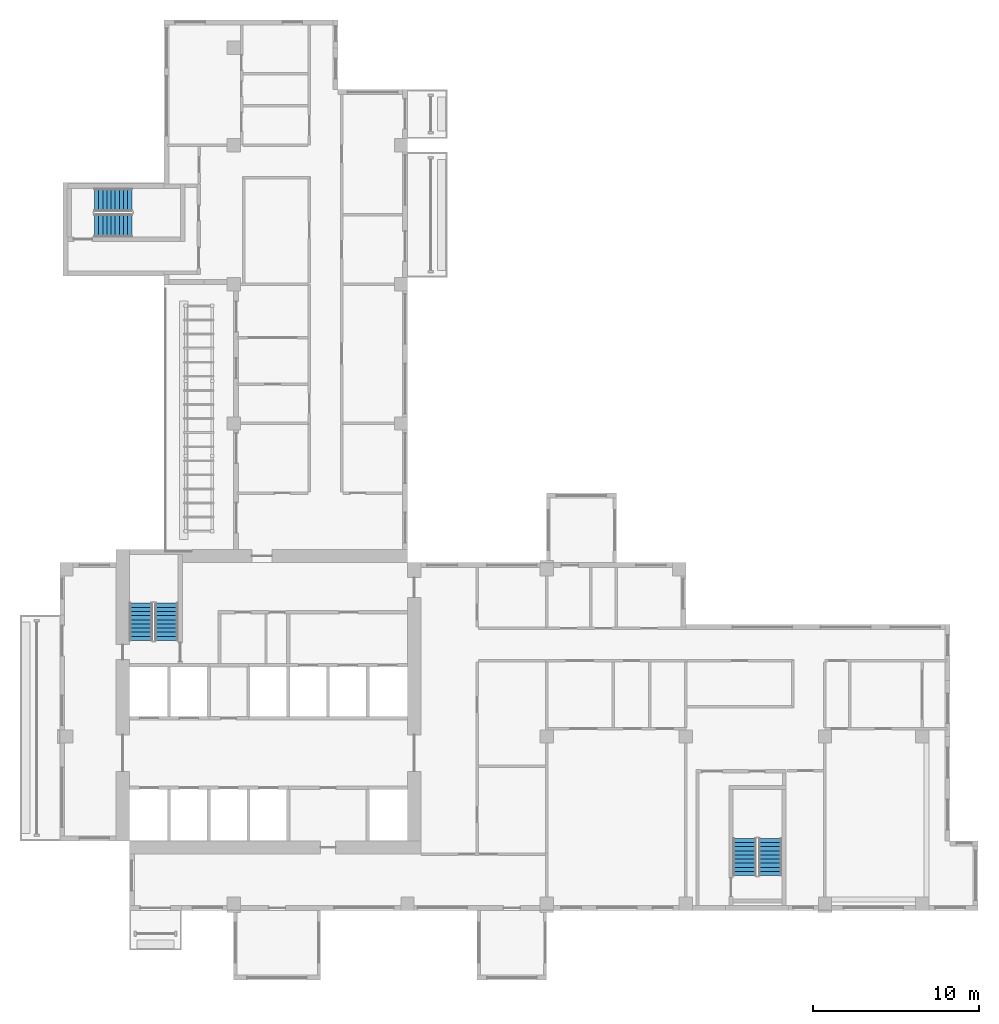
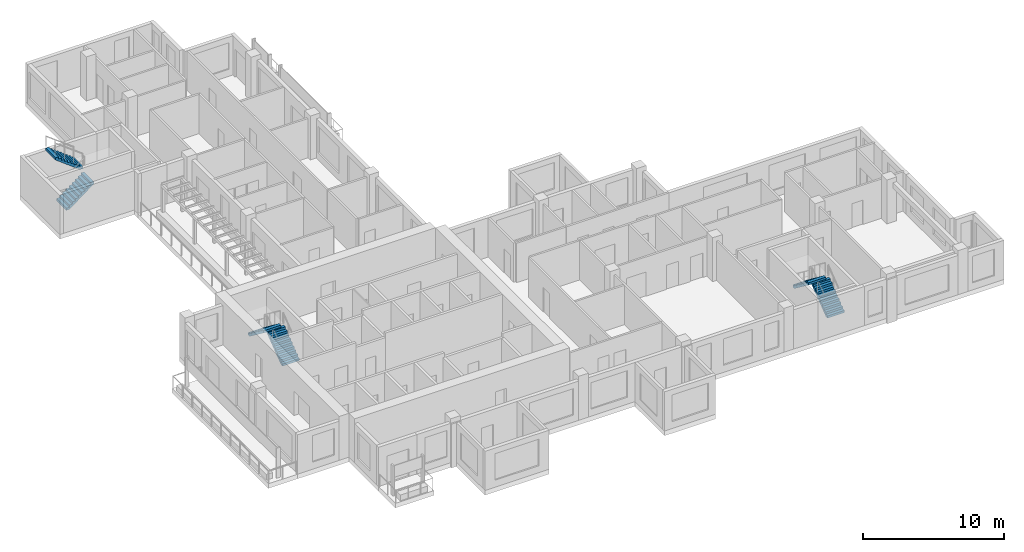
# One storey, part 10 of 14: 6 stair flights, 3 elements without a shape of their own.
"""IFC4 building model written with IfcOpenShell, lengths in metres."""

from ifc_helpers import new_model, si_unit, direction, frame, origin, place, context, subcontext, project, spatial, polyline, outline, extrude, source, transform, mapped, material, type_object, element, aggregate, save


model = new_model("IFC4")

# Units and contexts
model_context = context("Model", 3, precision=1e-05, world=origin(), true_north=direction((0.0, 1.0)))
body_context = subcontext(model_context, "Body", "Model", "MODEL_VIEW")
ifc_project = project(units=[si_unit("LENGTHUNIT", "METRE"), si_unit("AREAUNIT", "SQUARE_METRE"), si_unit("VOLUMEUNIT", "CUBIC_METRE"), si_unit("PLANEANGLEUNIT", "RADIAN"), si_unit("MASSUNIT", "GRAM", prefix="KILO")], contexts=[model_context])

# Site, building, storey
site_placement = place(None, origin())
site = spatial("IfcSite", under=ifc_project, at=site_placement, CompositionType="ELEMENT")
building_placement = place(site_placement, origin())
building = spatial("IfcBuilding", under=site, at=building_placement, Name="Aurelian Terraces", CompositionType="ELEMENT")
storey_placement = place(building_placement, frame((0.0, 0.0, 231.0)))
storey = spatial("IfcBuildingStorey", under=building, at=storey_placement, Name="L52", CompositionType="ELEMENT", Elevation=231.0)

# Stair, stair flights
ifc_material = material(Name="Concrete fc' 40 MPa", Category="concrete")
stair_type = type_object("IfcStairType", Name="Stair 1400", PredefinedType="HALF_TURN_STAIR", material=ifc_material)
stair_1_placement = place(storey_placement, origin())
stair_1 = element("IfcStair", 1, at=stair_1_placement, inside=storey, type_object=stair_type, Name="L52 S1", PredefinedType="HALF_TURN_STAIR")
stair_flight_type = type_object("IfcStairFlightType", Name="Stair flight 1400", PredefinedType="STRAIGHT", material=ifc_material)
shared_shape = source(origin(), body_context, "Body", "SweptSolid", [
    extrude(outline(polyline([(0.0, 0.0), (0.0, 0.19), (0.25, 0.19), (0.25, 0.38), (0.5, 0.38), (0.5, 0.57), (0.75, 0.57), (0.75, 0.76), (1.0, 0.76), (1.0, 0.95), (1.25, 0.95), (1.25, 1.14), (1.5, 1.14), (1.5, 1.33), (1.75, 1.33), (1.75, 1.52), (2.0, 1.52), (2.0, 1.71), (2.25, 1.71), (2.25, 1.9), (2.25, 1.5216), (0.2479, 0.0), (0.0, 0.0)])), frame((0.0, 0.7, 0.0), z_axis=(0.0, -1.0, 0.0), x_axis=(1.0, 0.0, 0.0)), (0.0, 0.0, 1.0), 1.4),
])
stair_flight_1_placement = place(storey_placement, frame((6.45, 16.3, 2e-08), z_axis=(0.0, 0.0, 1.0), x_axis=(0.0, 1.0, 0.0)))
stair_flight_1 = element("IfcStairFlight", 2, at=stair_flight_1_placement, type_object=stair_flight_type, Name="S1 flight 1", NumberOfRisers=10, NumberOfTreads=9, PredefinedType="STRAIGHT", RiserHeight=0.19, TreadLength=0.25, context=body_context, shape_type="MappedRepresentation", body=[
    mapped(shared_shape, transform((0.0, 0.0, 0.0), scale=1.0)),
])
stair_flight_2_placement = place(storey_placement, frame((4.9, 18.55, 1.9000000200000058), z_axis=(0.0, 0.0, 1.0), x_axis=(0.0, -1.0, 0.0)))
stair_flight_2 = element("IfcStairFlight", 3, at=stair_flight_2_placement, type_object=stair_flight_type, Name="S1 flight 2", NumberOfRisers=10, NumberOfTreads=9, PredefinedType="STRAIGHT", RiserHeight=0.19, TreadLength=0.25, context=body_context, shape_type="MappedRepresentation", body=[
    mapped(shared_shape, transform((0.0, 0.0, 0.0), scale=1.0)),
])
aggregate(stair_1, [stair_flight_1, stair_flight_2])

stair_2_placement = place(storey_placement, origin())
stair_2 = element("IfcStair", 4, at=stair_2_placement, inside=storey, type_object=stair_type, Name="L52 S2", PredefinedType="HALF_TURN_STAIR")
stair_flight_3_placement = place(storey_placement, frame((42.9, 2.1, 2e-08), z_axis=(0.0, 0.0, 1.0), x_axis=(0.0, 1.0, 0.0)))
stair_flight_3 = element("IfcStairFlight", 5, at=stair_flight_3_placement, type_object=stair_flight_type, Name="S2 flight 1", NumberOfRisers=10, NumberOfTreads=9, PredefinedType="STRAIGHT", RiserHeight=0.19, TreadLength=0.25, context=body_context, shape_type="MappedRepresentation", body=[
    mapped(shared_shape, transform((0.0, 0.0, 0.0), scale=1.0)),
])
stair_flight_4_placement = place(storey_placement, frame((41.35, 4.35, 1.9000000200000058), z_axis=(0.0, 0.0, 1.0), x_axis=(0.0, -1.0, 0.0)))
stair_flight_4 = element("IfcStairFlight", 6, at=stair_flight_4_placement, type_object=stair_flight_type, Name="S2 flight 2", NumberOfRisers=10, NumberOfTreads=9, PredefinedType="STRAIGHT", RiserHeight=0.19, TreadLength=0.25, context=body_context, shape_type="MappedRepresentation", body=[
    mapped(shared_shape, transform((0.0, 0.0, 0.0), scale=1.0)),
])
aggregate(stair_2, [stair_flight_3, stair_flight_4])

stair_3_placement = place(storey_placement, origin())
stair_3 = element("IfcStair", 7, at=stair_3_placement, inside=storey, type_object=stair_type, Name="L52 S3", PredefinedType="HALF_TURN_STAIR")
stair_flight_5_placement = place(storey_placement, frame((2.1, 41.35, 2e-08), z_axis=(0.0, 0.0, 1.0), x_axis=(1.0, 0.0, 0.0)))
stair_flight_5 = element("IfcStairFlight", 8, at=stair_flight_5_placement, type_object=stair_flight_type, Name="S3 flight 1", NumberOfRisers=10, NumberOfTreads=9, PredefinedType="STRAIGHT", RiserHeight=0.19, TreadLength=0.25, context=body_context, shape_type="MappedRepresentation", body=[
    mapped(shared_shape, transform((0.0, 0.0, 0.0), scale=1.0)),
])
stair_flight_6_placement = place(storey_placement, frame((4.35, 42.9, 1.9000000200000058), z_axis=(0.0, 0.0, 1.0), x_axis=(-1.0, 0.0, 0.0)))
stair_flight_6 = element("IfcStairFlight", 9, at=stair_flight_6_placement, type_object=stair_flight_type, Name="S3 flight 2", NumberOfRisers=10, NumberOfTreads=9, PredefinedType="STRAIGHT", RiserHeight=0.19, TreadLength=0.25, context=body_context, shape_type="MappedRepresentation", body=[
    mapped(shared_shape, transform((0.0, 0.0, 0.0), scale=1.0)),
])
aggregate(stair_3, [stair_flight_5, stair_flight_6])

save(model, "model.ifc")
